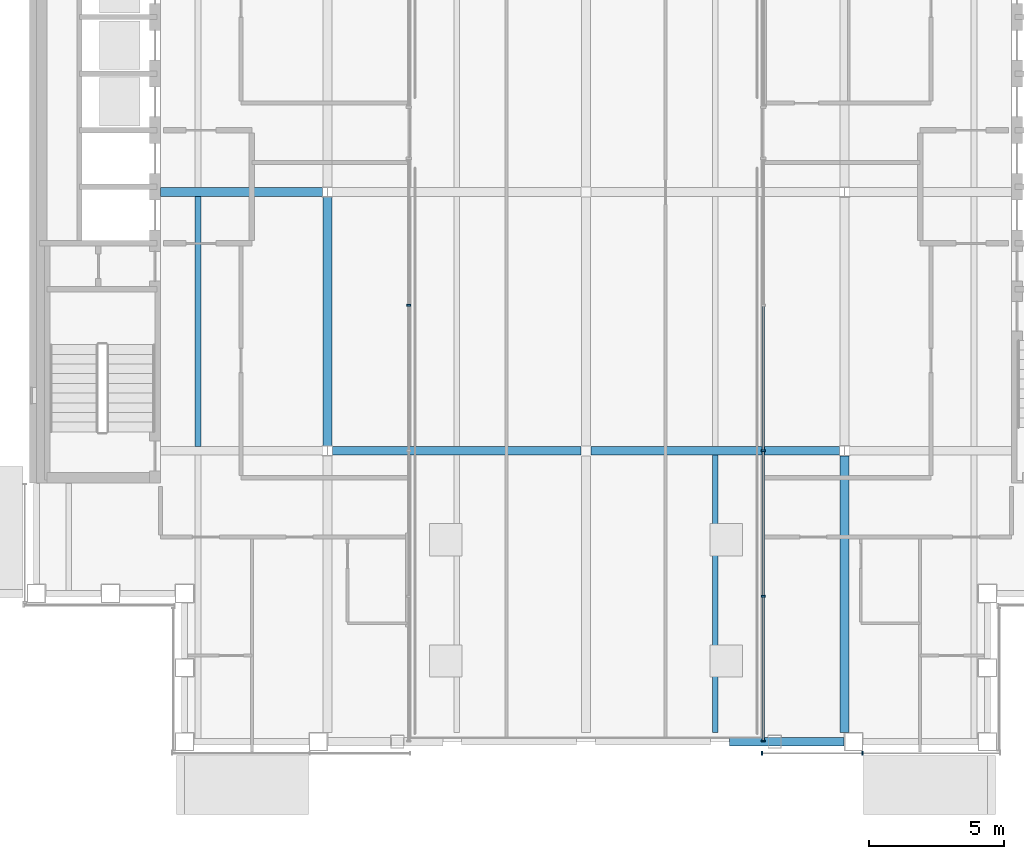
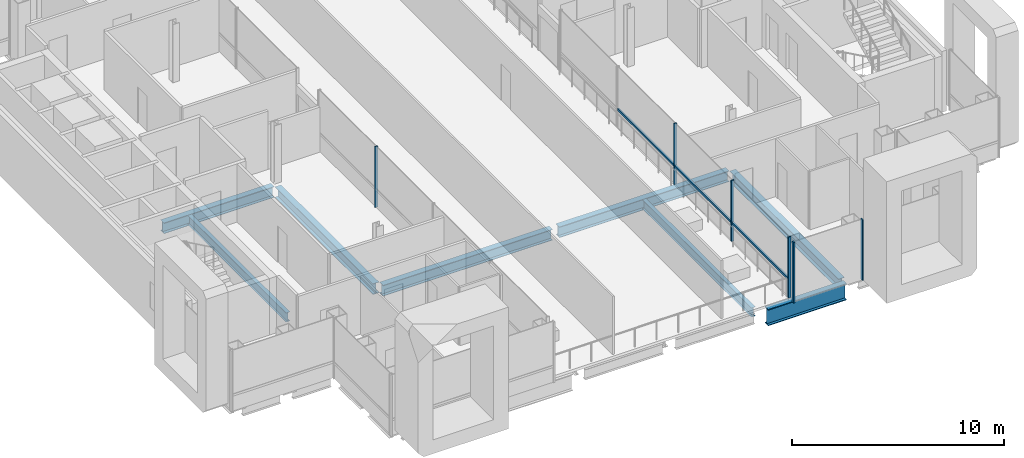
# One storey, part 4 of 17: 9 members, 8 beams, 3 elements without a shape of their own.
"""IFC4 building model written with IfcOpenShell, lengths in metres."""

from ifc_helpers import new_model, si_unit, direction, frame, origin, origin_2d, place, context, subcontext, project, spatial, rectangle, i_section, extrude, material, material_profile, profile_set, type_object, element, aggregate, save


model = new_model("IFC4")

# Units and contexts
model_context = context("Model", 3, precision=1e-05, world=origin(), true_north=direction((0.0, 1.0)))
body_context = subcontext(model_context, "Body", "Model", "MODEL_VIEW")
ifc_project = project(units=[si_unit("LENGTHUNIT", "METRE"), si_unit("AREAUNIT", "SQUARE_METRE"), si_unit("VOLUMEUNIT", "CUBIC_METRE"), si_unit("PLANEANGLEUNIT", "RADIAN"), si_unit("MASSUNIT", "GRAM", prefix="KILO")], contexts=[model_context])

# Site, building, storey
site_placement = place(None, origin())
site = spatial("IfcSite", under=ifc_project, at=site_placement, CompositionType="ELEMENT")
building_placement = place(site_placement, origin())
building = spatial("IfcBuilding", under=site, at=building_placement, Name="Cobrizo Arcos Hotel Tower", CompositionType="ELEMENT")
storey_placement = place(building_placement, frame((0.0, 0.0, 219.0)))
storey = spatial("IfcBuildingStorey", under=building, at=storey_placement, Name="L57", CompositionType="ELEMENT", Elevation=219.0)

# Curtain wall, members
ifc_material_1 = material(Name="Aluminium 6063-T6 anodised bronze", Category="aluminium")
curtain_wall_type_1 = type_object("IfcCurtainWallType", Name="CW-A guest facade", PredefinedType="NOTDEFINED", material=ifc_material_1)
curtain_wall_1_placement = place(storey_placement, origin())
curtain_wall_1 = element("IfcCurtainWall", 1, at=curtain_wall_1_placement, inside=storey, type_object=curtain_wall_type_1, Name="CW-A L57 S face", PredefinedType="NOTDEFINED")
ifc_material_profile_1 = material_profile(ifc_material_1, rectangle(XDim=0.14990234375, YDim=0.06005859375, at=origin_2d()), Name="CW-A mullion 150x60")
ifc_profile_set_1 = profile_set([ifc_material_profile_1], Name="Aluminium 6063-T6 anodised bronze")
member_type_1 = type_object("IfcMemberType", Name="CW-A mullion 150x60", PredefinedType="MULLION", material=ifc_profile_set_1)
member_1_placement = place(storey_placement, frame((6.530029296875, -20.824951171875, 0.0), z_axis=(0.0, 0.0, 1.0), x_axis=(0.0, -1.0, 0.0)))
member_1 = element("IfcMember", 2, at=member_1_placement, type_object=member_type_1, Name="CW-A mullion 1", PredefinedType="MULLION", context=body_context, shape_type="SweptSolid", body=[
    extrude(rectangle(XDim=0.14990234375, YDim=0.06005859375, at=origin_2d()), origin(), (0.0, 0.0, 1.0), 3.5),
])
member_2_placement = place(storey_placement, frame((10.2666015625, -20.824951171875, 0.0), z_axis=(0.0, 0.0, 1.0), x_axis=(0.0, -1.0, 0.0)))
member_2 = element("IfcMember", 3, at=member_2_placement, type_object=member_type_1, Name="CW-A mullion 2", PredefinedType="MULLION", context=body_context, shape_type="SweptSolid", body=[
    extrude(rectangle(XDim=0.14990234375, YDim=0.06005859375, at=origin_2d()), origin(), (0.0, 0.0, 1.0), 3.5),
])
aggregate(curtain_wall_1, [member_1, member_2])

curtain_wall_type_2 = type_object("IfcCurtainWallType", Name="CW-F void screen", PredefinedType="NOTDEFINED", material=ifc_material_1)
curtain_wall_2_placement = place(storey_placement, origin())
curtain_wall_2 = element("IfcCurtainWall", 4, at=curtain_wall_2_placement, inside=storey, type_object=curtain_wall_type_2, Name="CW-F L57 void screen C", PredefinedType="NOTDEFINED")
ifc_material_profile_2 = material_profile(ifc_material_1, rectangle(XDim=0.14990234375, YDim=0.06005859375, at=origin_2d()), Name="CW-F mullion 150x60")
ifc_profile_set_2 = profile_set([ifc_material_profile_2], Name="Aluminium 6063-T6 anodised bronze")
member_type_2 = type_object("IfcMemberType", Name="CW-F mullion 150x60", PredefinedType="MULLION", material=ifc_profile_set_2)
member_3_placement = place(storey_placement, frame((6.574951171875, -20.3701171875, 0.0), z_axis=(0.0, 0.0, 1.0), x_axis=(1.0, 0.0, 0.0)))
member_3 = element("IfcMember", 5, at=member_3_placement, type_object=member_type_2, Name="CW-F mullion 1", PredefinedType="MULLION", context=body_context, shape_type="SweptSolid", body=[
    extrude(rectangle(XDim=0.14990234375, YDim=0.06005859375, at=origin_2d()), origin(), (0.0, 0.0, 1.0), 3.5),
])
member_4_placement = place(storey_placement, frame((6.574951171875, -15.0, 0.0), z_axis=(0.0, 0.0, 1.0), x_axis=(1.0, 0.0, 0.0)))
member_4 = element("IfcMember", 6, at=member_4_placement, type_object=member_type_2, Name="CW-F mullion 2", PredefinedType="MULLION", context=body_context, shape_type="SweptSolid", body=[
    extrude(rectangle(XDim=0.14990234375, YDim=0.06005859375, at=origin_2d()), origin(), (0.0, 0.0, 1.0), 3.5),
])
member_5_placement = place(storey_placement, frame((6.574951171875, -9.60009765625, 0.0), z_axis=(0.0, 0.0, 1.0), x_axis=(1.0, 0.0, 0.0)))
member_5 = element("IfcMember", 7, at=member_5_placement, type_object=member_type_2, Name="CW-F mullion 3", PredefinedType="MULLION", context=body_context, shape_type="SweptSolid", body=[
    extrude(rectangle(XDim=0.14990234375, YDim=0.06005859375, at=origin_2d()), origin(), (0.0, 0.0, 1.0), 3.5),
])

# Curtain wall, member
curtain_wall_3_placement = place(storey_placement, origin())
curtain_wall_3 = element("IfcCurtainWall", 8, at=curtain_wall_3_placement, inside=storey, type_object=curtain_wall_type_2, Name="CW-F L57 void screen C", PredefinedType="NOTDEFINED")
member_6_placement = place(storey_placement, frame((-6.574951171875, -4.199951171875, 0.0), z_axis=(0.0, 0.0, 1.0), x_axis=(-1.0, 0.0, 0.0)))
member_6 = element("IfcMember", 9, at=member_6_placement, type_object=member_type_2, Name="CW-F mullion 2", PredefinedType="MULLION", context=body_context, shape_type="SweptSolid", body=[
    extrude(rectangle(XDim=0.14990234375, YDim=0.06005859375, at=origin_2d()), origin(), (0.0, 0.0, 1.0), 3.5),
])
aggregate(curtain_wall_3, [member_6])

# Member
ifc_material_profile_3 = material_profile(ifc_material_1, rectangle(XDim=0.10009765625, YDim=0.1201171875, at=origin_2d()), Name="CW-F transom 120x100")
ifc_profile_set_3 = profile_set([ifc_material_profile_3], Name="Aluminium 6063-T6 anodised bronze")
member_type_3 = type_object("IfcMemberType", Name="CW-F transom 120x100", PredefinedType="USERDEFINED", material=ifc_profile_set_3)
member_7_placement = place(storey_placement, frame((6.574951171875, -20.340087890625, 1.050048828125), z_axis=(0.0, 1.0, 0.0), x_axis=(-1.0, 0.0, 0.0)))
member_7 = element("IfcMember", 10, at=member_7_placement, type_object=member_type_3, Name="CW-F transom 2686", ObjectType="TRANSOM", PredefinedType="USERDEFINED", context=body_context, shape_type="SweptSolid", body=[
    extrude(rectangle(XDim=0.10009765625, YDim=0.1201171875, at=origin_2d()), origin(), (0.0, 0.0, 1.0), 5.31005859375),
])

member_8_placement = place(storey_placement, frame((6.574951171875, -14.969970703125, 1.050048828125), z_axis=(0.0, 1.0, 0.0), x_axis=(-1.0, 0.0, 0.0)))
member_8 = element("IfcMember", 11, at=member_8_placement, type_object=member_type_3, Name="CW-F transom 2687", ObjectType="TRANSOM", PredefinedType="USERDEFINED", context=body_context, shape_type="SweptSolid", body=[
    extrude(rectangle(XDim=0.10009765625, YDim=0.1201171875, at=origin_2d()), origin(), (0.0, 0.0, 1.0), 5.340087890625),
])

member_9_placement = place(storey_placement, frame((6.574951171875, -9.570068359375, 1.050048828125), z_axis=(0.0, 1.0, 0.0), x_axis=(-1.0, 0.0, 0.0)))
member_9 = element("IfcMember", 12, at=member_9_placement, type_object=member_type_3, Name="CW-F transom 2688", ObjectType="TRANSOM", PredefinedType="USERDEFINED", context=body_context, shape_type="SweptSolid", body=[
    extrude(rectangle(XDim=0.10009765625, YDim=0.1201171875, at=origin_2d()), origin(), (0.0, 0.0, 1.0), 5.340087890625),
])

aggregate(curtain_wall_2, [member_3, member_4, member_5, member_7, member_8, member_9])

# Beams
ifc_material_2 = material(Name="Steel ASTM A992 Grade 50", Category="steel")
ifc_material_profile_4 = material_profile(ifc_material_2, i_section(OverallWidth=0.209228515625, OverallDepth=0.533447265625, WebThickness=0.01025390625, FlangeThickness=0.015625, at=origin_2d()), Name="W21X62")
ifc_profile_set_4 = profile_set([ifc_material_profile_4], Name="Steel ASTM A992 Grade 50")
beam_type_1 = type_object("IfcBeamType", Name="W21X62 joist", PredefinedType="JOIST", material=ifc_profile_set_4)
beam_1_placement = place(storey_placement, frame((-14.39990234375, -9.43603515625, -0.416748046875), z_axis=(0.0, 1.0, 0.0), x_axis=(-1.0, 0.0, 0.0)))
element("IfcBeam", 13, at=beam_1_placement, inside=storey, type_object=beam_type_1, Name="Floor joist J1, L57, no. 004", PredefinedType="JOIST", context=body_context, shape_type="SweptSolid", body=[
    extrude(i_section(OverallWidth=0.209228515625, OverallDepth=0.533447265625, WebThickness=0.01025390625, FlangeThickness=0.015625, at=origin_2d()), origin(), (0.0, 0.0, 1.0), 9.272216796875),
])
beam_2_placement = place(storey_placement, frame((4.800048828125, -20.050048828125, -0.416748046875), z_axis=(0.0, 1.0, 0.0), x_axis=(-1.0, 0.0, 0.0)))
element("IfcBeam", 14, at=beam_2_placement, inside=storey, type_object=beam_type_1, Name="Floor joist J1, L57, no. 011", PredefinedType="JOIST", context=body_context, shape_type="SweptSolid", body=[
    extrude(i_section(OverallWidth=0.209228515625, OverallDepth=0.533447265625, WebThickness=0.01025390625, FlangeThickness=0.015625, at=origin_2d()), origin(), (0.0, 0.0, 1.0), 10.2861328125),
])
ifc_material_profile_5 = material_profile(ifc_material_2, i_section(OverallWidth=0.32763671875, OverallDepth=0.622314453125, WebThickness=0.015380859375, FlangeThickness=0.0244140625, at=origin_2d()), Name="W24X131")
ifc_profile_set_5 = profile_set([ifc_material_profile_5], Name="Steel ASTM A992 Grade 50")
beam_type_2 = type_object("IfcBeamType", Name="W24X131 girder", PredefinedType="BEAM", material=ifc_profile_set_5)
for number, where, z_axis, x_axis, name in (
    (15, (-9.413330078125, -9.60009765625, -0.461181640625), (1.0, 0.0, 0.0), (0.0, 1.0, 0.0), "Floor girder G1, L57, no. 002"),
    (16, (0.186767578125, -9.60009765625, -0.461181640625), (1.0, 0.0, 0.0), (0.0, 1.0, 0.0), "Floor girder G1, L57, no. 003"),
):
    element("IfcBeam", number, at=place(storey_placement, frame(where, z_axis=z_axis, x_axis=x_axis)), inside=storey, type_object=beam_type_2, Name=name, PredefinedType="BEAM", context=body_context, shape_type="SweptSolid", body=[
        extrude(i_section(OverallWidth=0.32763671875, OverallDepth=0.622314453125, WebThickness=0.015380859375, FlangeThickness=0.0244140625, at=origin_2d()), origin(), (0.0, 0.0, 1.0), 9.2265625),
    ])
beam_3_placement = place(storey_placement, frame((-15.7900390625, 0.0, -0.461181640625), z_axis=(1.0, 0.0, 0.0), x_axis=(0.0, 1.0, 0.0)))
element("IfcBeam", 17, at=beam_3_placement, inside=storey, type_object=beam_type_2, Name="Floor girder G1, L57, no. 005", PredefinedType="BEAM", context=body_context, shape_type="SweptSolid", body=[
    extrude(i_section(OverallWidth=0.32763671875, OverallDepth=0.622314453125, WebThickness=0.015380859375, FlangeThickness=0.0244140625, at=origin_2d()), origin(), (0.0, 0.0, 1.0), 6.00341796875),
])
beam_4_placement = place(storey_placement, frame((-9.60009765625, -9.413330078125, -0.461181640625), z_axis=(0.0, 1.0, 0.0), x_axis=(-1.0, 0.0, 0.0)))
element("IfcBeam", 18, at=beam_4_placement, inside=storey, type_object=beam_type_2, Name="Floor girder G1, L57, no. 014", PredefinedType="BEAM", context=body_context, shape_type="SweptSolid", body=[
    extrude(i_section(OverallWidth=0.32763671875, OverallDepth=0.622314453125, WebThickness=0.015380859375, FlangeThickness=0.0244140625, at=origin_2d()), origin(), (0.0, 0.0, 1.0), 9.2265625),
])
beam_5_placement = place(storey_placement, frame((9.60009765625, -20.050048828125, -0.461181640625), z_axis=(0.0, 1.0, 0.0), x_axis=(-1.0, 0.0, 0.0)))
element("IfcBeam", 19, at=beam_5_placement, inside=storey, type_object=beam_type_2, Name="Floor girder G1, L57, no. 021", PredefinedType="BEAM", context=body_context, shape_type="SweptSolid", body=[
    extrude(i_section(OverallWidth=0.32763671875, OverallDepth=0.622314453125, WebThickness=0.015380859375, FlangeThickness=0.0244140625, at=origin_2d()), origin(), (0.0, 0.0, 1.0), 10.263427734375),
])
ifc_material_profile_6 = material_profile(ifc_material_2, i_section(OverallWidth=0.307373046875, OverallDepth=0.9423828125, WebThickness=0.022216796875, FlangeThickness=0.039794921875, at=origin_2d()), Name="W36X232")
ifc_profile_set_6 = profile_set([ifc_material_profile_6], Name="Steel ASTM A992 Grade 50")
beam_type_3 = type_object("IfcBeamType", Name="W36X232 spandrel transfer", PredefinedType="BEAM", material=ifc_profile_set_6)
beam_6_placement = place(storey_placement, frame((5.31689453125, -20.39990234375, -0.62109375), z_axis=(1.0, 0.0, 0.0), x_axis=(0.0, 1.0, 0.0)))
element("IfcBeam", 20, at=beam_6_placement, inside=storey, type_object=beam_type_3, Name="Spandrel transfer beam ST1, L57, no. 002", PredefinedType="BEAM", context=body_context, shape_type="SweptSolid", body=[
    extrude(i_section(OverallWidth=0.307373046875, OverallDepth=0.9423828125, WebThickness=0.022216796875, FlangeThickness=0.039794921875, at=origin_2d()), origin(), (0.0, 0.0, 1.0), 4.26611328125),
])

save(model, "model.ifc")
